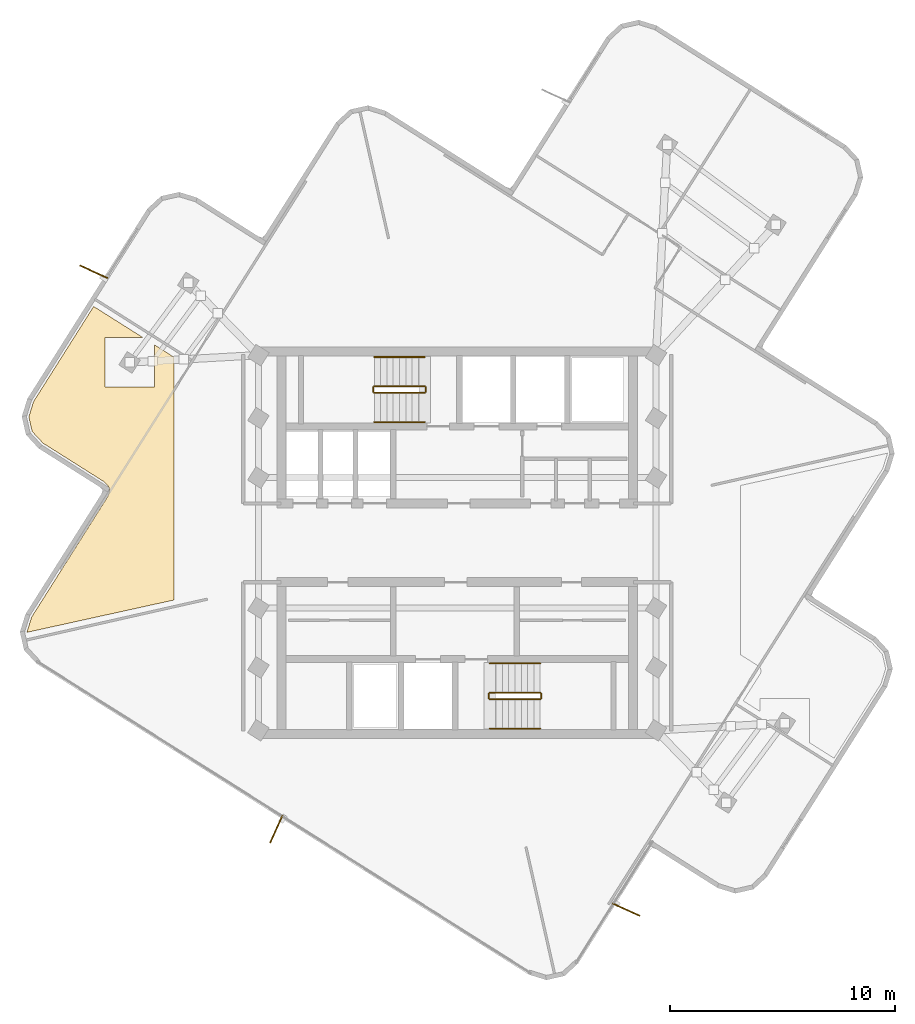
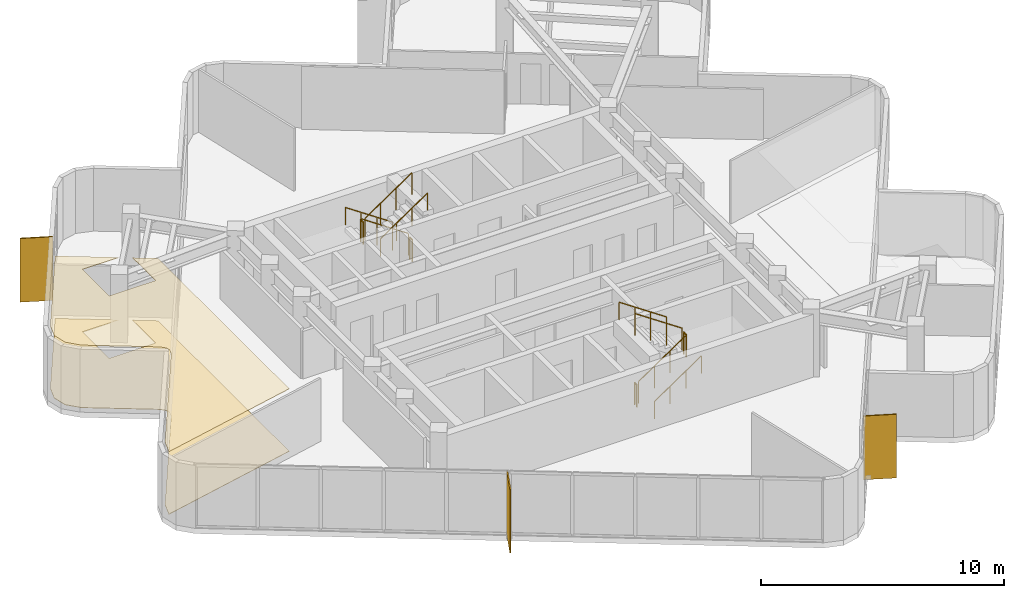
# One storey, part 7 of 8: 12 railings, 3 shading devices, 2 coverings.
"""IFC4 building model written with IfcOpenShell, lengths in metres."""

import ifcopenshell
import ifcopenshell.guid

model = None  # the IFC model being written
_history = None  # IfcOwnerHistory: only IFC2X3 demands one
_inside = {}  # id of a spatial element -> (the spatial element, [elements in it])
_under = {}  # id of a project, library or spatial element -> (it, [spatial elements below it])
_declared = {}  # id of a project -> (the project, [libraries it declares])
_typed = {}  # id of a type object -> (the type object, [elements of that type])
_made_of = {}  # id of a material, layer set ... -> (it, [elements and type objects made of it])


def new_model(schema):
    """Start an empty IFC model of exactly this schema.

    Asked for "IFC4X3", IfcOpenShell would pick the latest addendum, in which some entities
    have other attributes; the version numbers below select the first issue.
    IFC2X3 requires an IfcOwnerHistory on every rooted entity: one is made here for all.
    """
    global model, _history
    if schema == "IFC4X3":
        model = ifcopenshell.file(schema_version=(4, 3, 0, 0))
    else:
        model = ifcopenshell.file(schema=schema)
    _inside.clear()
    _under.clear()
    _declared.clear()
    _typed.clear()
    _made_of.clear()
    _history = None
    if model.schema == "IFC2X3":
        org = make("IfcOrganization", Name="unknown")
        user = make(
            "IfcPersonAndOrganization",
            ThePerson=make("IfcPerson", FamilyName="unknown"),
            TheOrganization=org,
        )
        app = make(
            "IfcApplication",
            ApplicationDeveloper=org,
            Version="unknown",
            ApplicationFullName="unknown",
            ApplicationIdentifier="unknown",
        )
        _history = make(
            "IfcOwnerHistory",
            OwningUser=user,
            OwningApplication=app,
            ChangeAction="ADDED",
            CreationDate=0,
        )
    return model


def make(cls, **values):
    """One entity of the class cls with the attributes given. An attribute that is None is left unset."""
    return model.create_entity(
        cls, **{name: value for name, value in values.items() if value is not None}
    )


def rooted(cls, **values):
    """An entity with a GlobalId (a new one), such as an element, a storey or a relation."""
    return make(cls, GlobalId=ifcopenshell.guid.new(), OwnerHistory=_history, **values)


def si_unit(unit_type, name, prefix=None):
    """IfcSIUnit, for example si_unit("LENGTHUNIT", "METRE", prefix="MILLI")."""
    return make("IfcSIUnit", UnitType=unit_type, Prefix=prefix, Name=name)


def assignment(units):
    """IfcUnitAssignment: the units of a project."""
    return None if units is None else make("IfcUnitAssignment", Units=units)


def point(xyz):
    """IfcCartesianPoint."""
    return None if xyz is None else make("IfcCartesianPoint", Coordinates=xyz)


def direction(xyz):
    """IfcDirection."""
    return None if xyz is None else make("IfcDirection", DirectionRatios=xyz)


def frame(location, z_axis=None, x_axis=None):
    """IfcAxis2Placement3D, a coordinate frame: its origin and axes. An axis left out is left unset."""
    return make(
        "IfcAxis2Placement3D",
        Location=point(location),
        Axis=direction(z_axis),
        RefDirection=direction(x_axis),
    )


def frame_2d(location, x_axis=None):
    """IfcAxis2Placement2D, a coordinate frame in the plane: its origin and x axis."""
    return make(
        "IfcAxis2Placement2D", Location=point(location), RefDirection=direction(x_axis)
    )


def origin():
    """The frame at (0, 0, 0) with its axes left unset."""
    return frame((0.0, 0.0, 0.0))


def origin_2d():
    """The frame at (0, 0) in the plane with its x axis left unset."""
    return frame_2d((0.0, 0.0))


def place(relative_to, where):
    """IfcLocalPlacement: puts the frame where relative to a parent placement (None: the world)."""
    return make(
        "IfcLocalPlacement", PlacementRelTo=relative_to, RelativePlacement=where
    )


def context(
    kind, dimensions, precision=None, world=None, true_north=None, identifier=None
):
    """IfcGeometricRepresentationContext, for example the 3D "Model" context."""
    return make(
        "IfcGeometricRepresentationContext",
        ContextIdentifier=identifier,
        ContextType=kind,
        CoordinateSpaceDimension=dimensions,
        Precision=precision,
        WorldCoordinateSystem=world,
        TrueNorth=true_north,
    )


def subcontext(parent, identifier, kind, view, scale=None):
    """IfcGeometricRepresentationSubContext, for example "Body" below "Model"."""
    return make(
        "IfcGeometricRepresentationSubContext",
        ContextIdentifier=identifier,
        ContextType=kind,
        ParentContext=parent,
        TargetScale=scale,
        TargetView=view,
    )


def project(units=None, contexts=None):
    """IfcProject with its units and contexts."""
    return rooted(
        "IfcProject",
        Name="project",
        RepresentationContexts=contexts,
        UnitsInContext=assignment(units),
    )


def spatial(cls, under=None, at=None, **own):
    """A site, building, storey or space (cls), placed at a placement, below another one or the project."""
    s = rooted(cls, ObjectPlacement=at, **own)
    if under is not None:
        _under.setdefault(under.id(), (under, []))[1].append(s)
    return s


def polyline(points):
    """IfcPolyline through the points."""
    return make("IfcPolyline", Points=[point(p) for p in points])


def profile(cls, at=None, kind="AREA", **sizes):
    """A parametric profile (cls). Its sizes go by their IFC names, for example OverallWidth=200.0."""
    return make(cls, ProfileType=kind, Position=at, **sizes)


def rectangle(**sizes):
    """IfcRectangleProfileDef."""
    return profile("IfcRectangleProfileDef", **sizes)


def circle(**sizes):
    """IfcCircleProfileDef."""
    return profile("IfcCircleProfileDef", **sizes)


def outline(outer, holes=None, kind="AREA"):
    """IfcArbitraryClosedProfileDef: a profile drawn as a closed curve; with holes, ...WithVoids."""
    if holes is None:
        return make("IfcArbitraryClosedProfileDef", ProfileType=kind, OuterCurve=outer)
    return make(
        "IfcArbitraryProfileDefWithVoids",
        ProfileType=kind,
        OuterCurve=outer,
        InnerCurves=holes,
    )


def extrude(swept, where, along, depth):
    """IfcExtrudedAreaSolid: the profile swept, set in the frame where, extruded along a direction by depth."""
    return make(
        "IfcExtrudedAreaSolid",
        SweptArea=swept,
        Position=where,
        ExtrudedDirection=direction(along),
        Depth=depth,
    )


def shape(context_of_items, identifier, shape_type, items):
    """IfcShapeRepresentation: the items that make up one representation, for example the "Body"."""
    return make(
        "IfcShapeRepresentation",
        ContextOfItems=context_of_items,
        RepresentationIdentifier=identifier,
        RepresentationType=shape_type,
        Items=items,
    )


def material(Name=None, Category=None):
    """IfcMaterial."""
    return make("IfcMaterial", Name=Name, Category=Category)


def layer(
    of_material, thickness, ventilated=None, Name=None, Category=None, Priority=None
):
    """IfcMaterialLayer: one layer of a wall or slab, of a material (None: an air gap)."""
    return make(
        "IfcMaterialLayer",
        Material=of_material,
        LayerThickness=thickness,
        IsVentilated=ventilated,
        Name=Name,
        Category=Category,
        Priority=Priority,
    )


def layer_set(layers, Name=None):
    """IfcMaterialLayerSet."""
    return make("IfcMaterialLayerSet", MaterialLayers=layers, LayerSetName=Name)


def made_of(thing, what):
    """Note that an element or type object is made of a material, layer set ...; save() writes the relation."""
    if what is not None:
        _made_of.setdefault(what.id(), (what, []))[1].append(thing)
    return thing


def type_object(cls, material=None, **own):
    """A type object (cls), such as IfcWallType, which elements share."""
    return made_of(rooted(cls, **own), material)


def element(
    cls,
    number,
    at=None,
    inside=None,
    cuts=None,
    type_object=None,
    material=None,
    context=None,
    identifier="Body",
    shape_type=None,
    held_by="IfcProductDefinitionShape",
    body=None,
    shapes=None,
    **own,
):
    """One element of the class cls, such as IfcWall. Its Tag is "e" and its number.

    at: its placement. inside: the storey or other place that contains it. cuts: it is an
    opening in that element (IfcRelVoidsElement). A single representation is given by context,
    identifier, shape_type and body (its items); several are given by shapes. held_by: the class
    of the entity that holds the representations. save() writes the other relations.
    """
    e = rooted(cls, Tag="e%d" % number, ObjectPlacement=at, **own)
    if body is not None:
        shapes = [shape(context, identifier, shape_type, body)]
    if shapes is not None:
        e.Representation = make(held_by, Representations=shapes)
    if inside is not None:
        _inside.setdefault(inside.id(), (inside, []))[1].append(e)
    if cuts is not None:
        rooted(
            "IfcRelVoidsElement", RelatingBuildingElement=cuts, RelatedOpeningElement=e
        )
    if type_object is not None:
        _typed.setdefault(type_object.id(), (type_object, []))[1].append(e)
    return made_of(e, material)


def aggregate(whole, parts):
    """IfcRelAggregates: a whole, such as a stair, and the parts it consists of."""
    return rooted("IfcRelAggregates", RelatingObject=whole, RelatedObjects=parts)


def save(model, path):
    """Write the relations noted so far, then the file.

    IfcRelAggregates (storeys below a building ...), IfcRelContainedInSpatialStructure (elements
    in a storey), IfcRelDefinesByType, IfcRelAssociatesMaterial and IfcRelDeclares: one each for
    every whole, place, type object, material and project.
    """
    for whole, parts in _under.values():
        aggregate(whole, parts)
    for where, things in _inside.values():
        rooted(
            "IfcRelContainedInSpatialStructure",
            RelatedElements=things,
            RelatingStructure=where,
        )
    for kind, things in _typed.values():
        rooted("IfcRelDefinesByType", RelatedObjects=things, RelatingType=kind)
    for what, things in _made_of.values():
        rooted("IfcRelAssociatesMaterial", RelatedObjects=things, RelatingMaterial=what)
    for by, libraries in _declared.values():
        rooted("IfcRelDeclares", RelatingContext=by, RelatedDefinitions=libraries)
    model.write(path)


model = new_model("IFC4")

# Units and contexts
model_context = context("Model", 3, precision=1e-05, world=origin(), true_north=direction((0.0, 1.0)))
body_context = subcontext(model_context, "Body", "Model", "MODEL_VIEW")
ifc_project = project(units=[si_unit("LENGTHUNIT", "METRE"), si_unit("AREAUNIT", "SQUARE_METRE"), si_unit("VOLUMEUNIT", "CUBIC_METRE"), si_unit("PLANEANGLEUNIT", "RADIAN"), si_unit("MASSUNIT", "GRAM", prefix="KILO")], contexts=[model_context])

# Site, building, storey
site_placement = place(None, origin())
site = spatial("IfcSite", under=ifc_project, at=site_placement, CompositionType="ELEMENT")
building_placement = place(site_placement, origin())
building = spatial("IfcBuilding", under=site, at=building_placement, Name="Solmarez Civic Tower", CompositionType="ELEMENT")
storey_placement = place(building_placement, frame((0.0, 0.0, 271.43994140625)))
storey = spatial("IfcBuildingStorey", under=building, at=storey_placement, Name="L73", CompositionType="ELEMENT", Elevation=271.43994140625)

# Coverings
ifc_material_1 = material(Name="Perforated Mineral-Fibre Acoustic Ceiling")
ifc_layer_1 = layer(ifc_material_1, 0.02490234375)
ifc_layer_set_1 = layer_set([ifc_layer_1], Name="Perforated Mineral-Fibre Acoustic Ceiling")
covering_type_1 = type_object("IfcCoveringType", Name="COV-CEIL-ACOUSTIC", PredefinedType="CEILING", material=ifc_layer_set_1)
covering_1_placement = place(storey_placement, frame((0.0, 0.0, 3.135009765625)))
element("IfcCovering", 1, at=covering_1_placement, inside=storey, type_object=covering_type_1, Name="L73 Suspended Acoustic Ceiling 1", PredefinedType="CEILING", context=body_context, shape_type="SweptSolid", body=[
    extrude(outline(polyline([(-12.60009765625, -2.547119140625), (-12.60009765625, 8.2548828125), (-13.48291015625, 8.81298828125), (-13.48291015625, 6.926025390625), (-15.68310546875, 6.926025390625), (-15.68310546875, 9.1259765625), (-13.97900390625, 9.1259765625), (-16.18408203125, 10.51904296875), (-18.860107421875, 6.282958984375), (-19.070068359375, 5.60595703125), (-18.923095703125, 4.955078125), (-18.44189453125, 4.43505859375), (-15.738037109375, 2.72607421875), (-15.73291015625, 2.722900390625), (-15.72705078125, 2.718994140625), (-15.7099609375, 2.7060546875), (-15.693115234375, 2.69189453125), (-15.68798828125, 2.68701171875), (-15.68310546875, 2.681884765625), (-15.677978515625, 2.676025390625), (-15.56103515625, 2.550048828125), (-15.552978515625, 2.541015625), (-15.548095703125, 2.534912109375), (-15.533935546875, 2.51611328125), (-15.530029296875, 2.510009765625), (-15.52197265625, 2.4970703125), (-15.51806640625, 2.489990234375), (-15.507080078125, 2.468017578125), (-15.50390625, 2.4609375), (-15.493896484375, 2.43408203125), (-15.491943359375, 2.427001953125), (-15.489990234375, 2.419921875), (-15.486083984375, 2.404052734375), (-15.48388671875, 2.386962890625), (-15.48291015625, 2.37890625), (-15.48095703125, 2.35205078125), (-15.48095703125, 2.3369140625), (-15.48291015625, 2.31005859375), (-15.48388671875, 2.302001953125), (-15.486083984375, 2.284912109375), (-15.489990234375, 2.26904296875), (-15.491943359375, 2.261962890625), (-15.493896484375, 2.257080078125), (-15.544921875, 2.093017578125), (-15.552978515625, 2.071044921875), (-15.555908203125, 2.06396484375), (-15.56103515625, 2.052978515625), (-15.56396484375, 2.047119140625), (-15.56689453125, 2.041015625), (-15.577880859375, 2.02197265625), (-18.943115234375, -3.304931640625), (-19.153076171875, -3.98095703125), (-19.152099609375, -3.988037109375), (-12.60009765625, -2.547119140625)])), origin(), (0.0, 0.0, 1.0), 0.025146484375),
])
ifc_material_2 = material(Name="Polished Tropical Stone Terrazzo Flooring", Category="masonry")
ifc_layer_2 = layer(ifc_material_2, 0.02001953125)
ifc_layer_set_2 = layer_set([ifc_layer_2], Name="Polished Tropical Stone Terrazzo Flooring")
covering_type_2 = type_object("IfcCoveringType", Name="COV-FLOOR-TERRAZZO", PredefinedType="FLOORING", material=ifc_layer_set_2)
covering_2_placement = place(storey_placement, origin())
element("IfcCovering", 2, at=covering_2_placement, inside=storey, type_object=covering_type_2, Name="L73 Terrazzo Floor Finish 1", PredefinedType="FLOORING", context=body_context, shape_type="SweptSolid", body=[
    extrude(outline(polyline([(-12.60009765625, -2.547119140625), (-12.60009765625, 8.2548828125), (-13.48291015625, 8.81298828125), (-13.48291015625, 6.926025390625), (-15.68310546875, 6.926025390625), (-15.68310546875, 9.1259765625), (-13.97900390625, 9.1259765625), (-16.18408203125, 10.51904296875), (-18.860107421875, 6.282958984375), (-19.070068359375, 5.60595703125), (-18.923095703125, 4.955078125), (-18.44189453125, 4.43505859375), (-15.738037109375, 2.72607421875), (-15.73291015625, 2.722900390625), (-15.72705078125, 2.718994140625), (-15.7099609375, 2.7060546875), (-15.693115234375, 2.69189453125), (-15.68798828125, 2.68701171875), (-15.68310546875, 2.681884765625), (-15.677978515625, 2.676025390625), (-15.56103515625, 2.550048828125), (-15.552978515625, 2.541015625), (-15.548095703125, 2.534912109375), (-15.533935546875, 2.51611328125), (-15.530029296875, 2.510009765625), (-15.52197265625, 2.4970703125), (-15.51806640625, 2.489990234375), (-15.507080078125, 2.468017578125), (-15.50390625, 2.4609375), (-15.493896484375, 2.43408203125), (-15.491943359375, 2.427001953125), (-15.489990234375, 2.419921875), (-15.486083984375, 2.404052734375), (-15.48388671875, 2.386962890625), (-15.48291015625, 2.37890625), (-15.48095703125, 2.35205078125), (-15.48095703125, 2.3369140625), (-15.48291015625, 2.31005859375), (-15.48388671875, 2.302001953125), (-15.486083984375, 2.284912109375), (-15.489990234375, 2.26904296875), (-15.491943359375, 2.261962890625), (-15.493896484375, 2.257080078125), (-15.544921875, 2.093017578125), (-15.552978515625, 2.071044921875), (-15.555908203125, 2.06396484375), (-15.56103515625, 2.052978515625), (-15.56396484375, 2.047119140625), (-15.56689453125, 2.041015625), (-15.577880859375, 2.02197265625), (-18.943115234375, -3.304931640625), (-19.153076171875, -3.98095703125), (-19.152099609375, -3.988037109375), (-12.60009765625, -2.547119140625)])), origin(), (0.0, 0.0, 1.0), 0.02001953125),
])

# Shading devices
ifc_material_3 = material(Name="Bronze Anodised Aluminium EN AW-6063 T6", Category="aluminium")
ifc_layer_3 = layer(ifc_material_3, 0.054931640625)
ifc_layer_set_3 = layer_set([ifc_layer_3], Name="Bronze Anodised Aluminium EN AW-6063 T6")
shading_device_type = type_object("IfcShadingDeviceType", Name="FIN-BRONZE-Z56", PredefinedType="USERDEFINED", material=ifc_layer_set_3)
for number, where, z_axis, x_axis, name in (
    (3, (7.51611328125, -16.3291015625, -0.0400390625), (0.0, 0.0, 1.0), (0.909657040398, -0.41536016763, 0.0), "L73 Anodised Bronze Solar Fin FIN-L73-01"),
    (4, (-8.051025390625, -12.7451171875, -0.0400390625), (0.0, 0.0, 1.0), (-0.415455424415, -0.909613538996, 0.0), "L73 Anodised Bronze Solar Fin FIN-L73-02"),
    (5, (-16.18310546875, 12.06298828125, -0.0400390625), (0.0, 0.0, 1.0), (-0.909584532519, 0.415518926407, 0.0), "L73 Anodised Bronze Solar Fin FIN-L73-03"),
):
    element("IfcShadingDevice", number, at=place(storey_placement, frame(where, z_axis=z_axis, x_axis=x_axis)), inside=storey, type_object=shading_device_type, Name=name, ObjectType="FIN", PredefinedType="USERDEFINED", context=body_context, shape_type="SweptSolid", body=[
        extrude(rectangle(XDim=1.35009765625, YDim=0.054931640625, at=origin_2d()), origin(), (0.0, 0.0, 1.0), 3.199951171875),
    ])

# Railings
ifc_material_4 = material(Name="Painted Steel Stairwell Safety Guard", Category="steel")
railing_type_1 = type_object("IfcRailingType", Name="GUARD-STAIR-1120", PredefinedType="BALUSTRADE", material=ifc_material_4)
railing_1_placement = place(storey_placement, frame((-1.449951171875, 6.969970703125, 0.18994140625)))
element("IfcRailing", 6, at=railing_1_placement, inside=storey, type_object=railing_type_1, Name="L73 ST-1 stair guard 1", PredefinedType="BALUSTRADE", context=body_context, shape_type="SweptSolid", body=[
    extrude(circle(Radius=0.02392578125, at=origin_2d()), frame((0.0, 0.0, 1.09619140625), z_axis=(-0.827471284677, 0.0, 0.561508034703), x_axis=(0.0, -1.0, 0.0)), (0.0, 0.0, 1.0), 2.70703125),
    extrude(circle(Radius=0.02099609375, at=origin_2d()), origin(), (0.0, 0.0, 1.0), 1.072021484375),
    extrude(circle(Radius=0.02099609375, at=origin_2d()), frame((-0.74658203125, 0.0, 0.506591796875)), (0.0, 0.0, 1.0), 1.072021484375),
    extrude(circle(Radius=0.02099609375, at=origin_2d()), frame((-1.493408203125, 0.0, 1.013427734375)), (0.0, 0.0, 1.0), 1.072021484375),
    extrude(circle(Radius=0.02099609375, at=origin_2d()), frame((-2.239990234375, 0.0, 1.52001953125)), (0.0, 0.0, 1.0), 1.072021484375),
])
railing_2_placement = place(storey_placement, frame((-3.739990234375, 6.919921875, 1.7099609375)))
element("IfcRailing", 7, at=railing_2_placement, inside=storey, type_object=railing_type_1, Name="L73 ST-1 stair guard 2", PredefinedType="BALUSTRADE", context=body_context, shape_type="SweptSolid", body=[
    extrude(circle(Radius=0.02392578125, at=origin_2d()), frame((0.0, 0.0, 1.09619140625), z_axis=(0.0, -1.0, 0.0), x_axis=(1.0, 0.0, 0.0)), (0.0, 0.0, 1.0), 0.199951171875),
    extrude(circle(Radius=0.02099609375, at=origin_2d()), origin(), (0.0, 0.0, 1.0), 1.072021484375),
    extrude(circle(Radius=0.02099609375, at=origin_2d()), frame((0.0, -0.199951171875, 0.0)), (0.0, 0.0, 1.0), 1.072021484375),
])
railing_3_placement = place(storey_placement, frame((-3.68994140625, 6.669921875, 1.900146484375)))
element("IfcRailing", 8, at=railing_3_placement, inside=storey, type_object=railing_type_1, Name="L73 ST-1 stair guard 3", PredefinedType="BALUSTRADE", context=body_context, shape_type="SweptSolid", body=[
    extrude(circle(Radius=0.02392578125, at=origin_2d()), frame((0.0, 0.0, 1.09619140625), z_axis=(0.827471284677, 0.0, 0.561508034703), x_axis=(0.0, 1.0, 0.0)), (0.0, 0.0, 1.0), 2.70703125),
    extrude(circle(Radius=0.02099609375, at=origin_2d()), origin(), (0.0, 0.0, 1.0), 1.072021484375),
    extrude(circle(Radius=0.02099609375, at=origin_2d()), frame((0.74658203125, 0.0, 0.506591796875)), (0.0, 0.0, 1.0), 1.072021484375),
    extrude(circle(Radius=0.02099609375, at=origin_2d()), frame((1.493408203125, 0.0, 1.013427734375)), (0.0, 0.0, 1.0), 1.072021484375),
    extrude(circle(Radius=0.02099609375, at=origin_2d()), frame((2.239990234375, 0.0, 1.52001953125)), (0.0, 0.0, 1.0), 1.072021484375),
])
railing_4_placement = place(storey_placement, frame((-1.39990234375, 6.919921875, 0.0)))
element("IfcRailing", 9, at=railing_4_placement, inside=storey, type_object=railing_type_1, Name="L73 ST-1 stair guard 4", PredefinedType="BALUSTRADE", context=body_context, shape_type="SweptSolid", body=[
    extrude(circle(Radius=0.02392578125, at=origin_2d()), frame((0.0, 0.0, 1.09619140625), z_axis=(0.0, -1.0, 0.0), x_axis=(1.0, 0.0, 0.0)), (0.0, 0.0, 1.0), 0.199951171875),
    extrude(circle(Radius=0.02099609375, at=origin_2d()), origin(), (0.0, 0.0, 1.0), 1.072021484375),
    extrude(circle(Radius=0.02099609375, at=origin_2d()), frame((0.0, -0.199951171875, 0.0)), (0.0, 0.0, 1.0), 1.072021484375),
])
railing_5_placement = place(storey_placement, frame((1.449951171875, -6.969970703125, 0.18994140625)))
element("IfcRailing", 10, at=railing_5_placement, inside=storey, type_object=railing_type_1, Name="L73 ST-2 stair guard 1", PredefinedType="BALUSTRADE", context=body_context, shape_type="SweptSolid", body=[
    extrude(circle(Radius=0.02392578125, at=origin_2d()), frame((0.0, 0.0, 1.09619140625), z_axis=(0.827471284677, 0.0, 0.561508034703), x_axis=(0.0, 1.0, 0.0)), (0.0, 0.0, 1.0), 2.70703125),
    extrude(circle(Radius=0.02099609375, at=origin_2d()), origin(), (0.0, 0.0, 1.0), 1.072021484375),
    extrude(circle(Radius=0.02099609375, at=origin_2d()), frame((0.74658203125, 0.0, 0.506591796875)), (0.0, 0.0, 1.0), 1.072021484375),
    extrude(circle(Radius=0.02099609375, at=origin_2d()), frame((1.493408203125, 0.0, 1.013427734375)), (0.0, 0.0, 1.0), 1.072021484375),
    extrude(circle(Radius=0.02099609375, at=origin_2d()), frame((2.239990234375, 0.0, 1.52001953125)), (0.0, 0.0, 1.0), 1.072021484375),
])
railing_6_placement = place(storey_placement, frame((3.739990234375, -6.919921875, 1.7099609375)))
element("IfcRailing", 11, at=railing_6_placement, inside=storey, type_object=railing_type_1, Name="L73 ST-2 stair guard 2", PredefinedType="BALUSTRADE", context=body_context, shape_type="SweptSolid", body=[
    extrude(circle(Radius=0.02392578125, at=origin_2d()), frame((0.0, 0.0, 1.09619140625), z_axis=(0.0, 1.0, 0.0), x_axis=(-1.0, 0.0, 0.0)), (0.0, 0.0, 1.0), 0.199951171875),
    extrude(circle(Radius=0.02099609375, at=origin_2d()), origin(), (0.0, 0.0, 1.0), 1.072021484375),
    extrude(circle(Radius=0.02099609375, at=origin_2d()), frame((0.0, 0.199951171875, 0.0)), (0.0, 0.0, 1.0), 1.072021484375),
])
railing_7_placement = place(storey_placement, frame((3.68994140625, -6.669921875, 1.900146484375)))
element("IfcRailing", 12, at=railing_7_placement, inside=storey, type_object=railing_type_1, Name="L73 ST-2 stair guard 3", PredefinedType="BALUSTRADE", context=body_context, shape_type="SweptSolid", body=[
    extrude(circle(Radius=0.02392578125, at=origin_2d()), frame((0.0, 0.0, 1.09619140625), z_axis=(-0.827471284677, 0.0, 0.561508034703), x_axis=(0.0, -1.0, 0.0)), (0.0, 0.0, 1.0), 2.70703125),
    extrude(circle(Radius=0.02099609375, at=origin_2d()), origin(), (0.0, 0.0, 1.0), 1.072021484375),
    extrude(circle(Radius=0.02099609375, at=origin_2d()), frame((-0.74658203125, 0.0, 0.506591796875)), (0.0, 0.0, 1.0), 1.072021484375),
    extrude(circle(Radius=0.02099609375, at=origin_2d()), frame((-1.493408203125, 0.0, 1.013427734375)), (0.0, 0.0, 1.0), 1.072021484375),
    extrude(circle(Radius=0.02099609375, at=origin_2d()), frame((-2.239990234375, 0.0, 1.52001953125)), (0.0, 0.0, 1.0), 1.072021484375),
])
railing_8_placement = place(storey_placement, frame((1.39990234375, -6.919921875, 0.0)))
element("IfcRailing", 13, at=railing_8_placement, inside=storey, type_object=railing_type_1, Name="L73 ST-2 stair guard 4", PredefinedType="BALUSTRADE", context=body_context, shape_type="SweptSolid", body=[
    extrude(circle(Radius=0.02392578125, at=origin_2d()), frame((0.0, 0.0, 1.09619140625), z_axis=(0.0, 1.0, 0.0), x_axis=(-1.0, 0.0, 0.0)), (0.0, 0.0, 1.0), 0.199951171875),
    extrude(circle(Radius=0.02099609375, at=origin_2d()), origin(), (0.0, 0.0, 1.0), 1.072021484375),
    extrude(circle(Radius=0.02099609375, at=origin_2d()), frame((0.0, 0.199951171875, 0.0)), (0.0, 0.0, 1.0), 1.072021484375),
])
ifc_material_5 = material(Name="Brushed Stainless Steel Tube Handrail", Category="steel")
railing_type_2 = type_object("IfcRailingType", Name="HANDRAIL-STAIR-900", PredefinedType="HANDRAIL", material=ifc_material_5)
railing_9_placement = place(storey_placement, frame((-1.449951171875, 8.27001953125, 0.18994140625)))
element("IfcRailing", 14, at=railing_9_placement, inside=storey, type_object=railing_type_2, Name="L73 ST-1 stair handrail 1", PredefinedType="HANDRAIL", context=body_context, shape_type="SweptSolid", body=[
    extrude(circle(Radius=0.02392578125, at=origin_2d()), frame((0.0, 0.0, 0.8759765625), z_axis=(-0.827471284677, 0.0, 0.561508034703), x_axis=(0.0, -1.0, 0.0)), (0.0, 0.0, 1.0), 2.70703125),
    extrude(circle(Radius=0.02099609375, at=origin_2d()), origin(), (0.0, 0.0, 1.0), 0.851806640625),
    extrude(circle(Radius=0.02099609375, at=origin_2d()), frame((-0.74658203125, 0.0, 0.506591796875)), (0.0, 0.0, 1.0), 0.851806640625),
    extrude(circle(Radius=0.02099609375, at=origin_2d()), frame((-1.493408203125, 0.0, 1.013427734375)), (0.0, 0.0, 1.0), 0.851806640625),
    extrude(circle(Radius=0.02099609375, at=origin_2d()), frame((-2.239990234375, 0.0, 1.52001953125)), (0.0, 0.0, 1.0), 0.851806640625),
])
for number, where, name in (
    (15, (-3.68994140625, 5.3701171875, 1.900146484375), "L73 ST-1 stair handrail 2"),
    (16, (1.449951171875, -8.27001953125, 0.18994140625), "L73 ST-2 stair handrail 1"),
):
    element("IfcRailing", number, at=place(storey_placement, frame(where)), inside=storey, type_object=railing_type_2, Name=name, PredefinedType="HANDRAIL", context=body_context, shape_type="SweptSolid", body=[
        extrude(circle(Radius=0.02392578125, at=origin_2d()), frame((0.0, 0.0, 0.8759765625), z_axis=(0.827471284677, 0.0, 0.561508034703), x_axis=(0.0, 1.0, 0.0)), (0.0, 0.0, 1.0), 2.70703125),
        extrude(circle(Radius=0.02099609375, at=origin_2d()), origin(), (0.0, 0.0, 1.0), 0.851806640625),
        extrude(circle(Radius=0.02099609375, at=origin_2d()), frame((0.74658203125, 0.0, 0.506591796875)), (0.0, 0.0, 1.0), 0.851806640625),
        extrude(circle(Radius=0.02099609375, at=origin_2d()), frame((1.493408203125, 0.0, 1.013427734375)), (0.0, 0.0, 1.0), 0.851806640625),
        extrude(circle(Radius=0.02099609375, at=origin_2d()), frame((2.239990234375, 0.0, 1.52001953125)), (0.0, 0.0, 1.0), 0.851806640625),
    ])
railing_10_placement = place(storey_placement, frame((3.68994140625, -5.3701171875, 1.900146484375)))
element("IfcRailing", 17, at=railing_10_placement, inside=storey, type_object=railing_type_2, Name="L73 ST-2 stair handrail 2", PredefinedType="HANDRAIL", context=body_context, shape_type="SweptSolid", body=[
    extrude(circle(Radius=0.02392578125, at=origin_2d()), frame((0.0, 0.0, 0.8759765625), z_axis=(-0.827471284677, 0.0, 0.561508034703), x_axis=(0.0, -1.0, 0.0)), (0.0, 0.0, 1.0), 2.70703125),
    extrude(circle(Radius=0.02099609375, at=origin_2d()), origin(), (0.0, 0.0, 1.0), 0.851806640625),
    extrude(circle(Radius=0.02099609375, at=origin_2d()), frame((-0.74658203125, 0.0, 0.506591796875)), (0.0, 0.0, 1.0), 0.851806640625),
    extrude(circle(Radius=0.02099609375, at=origin_2d()), frame((-1.493408203125, 0.0, 1.013427734375)), (0.0, 0.0, 1.0), 0.851806640625),
    extrude(circle(Radius=0.02099609375, at=origin_2d()), frame((-2.239990234375, 0.0, 1.52001953125)), (0.0, 0.0, 1.0), 0.851806640625),
])

save(model, "model.ifc")
